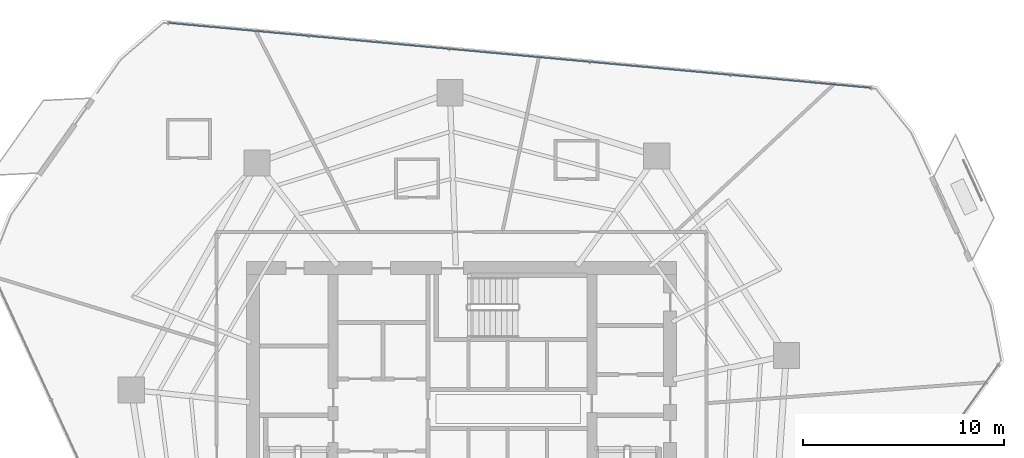
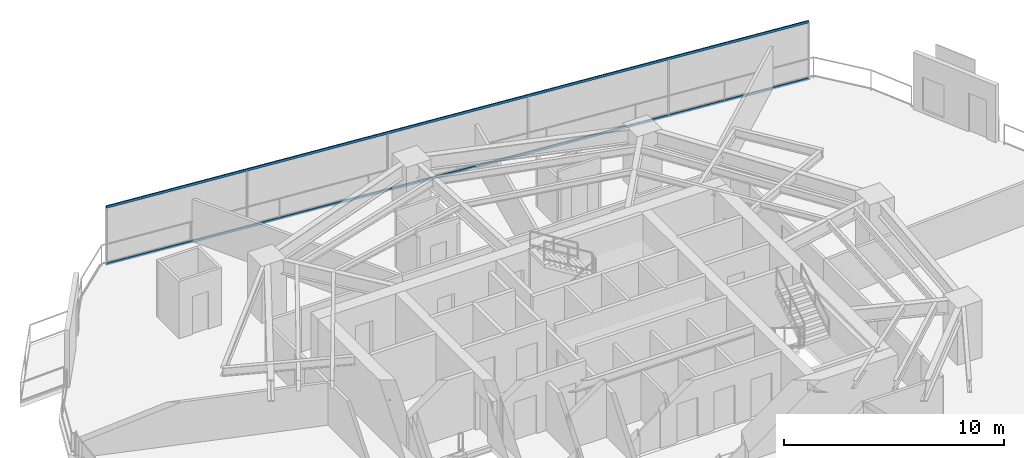
# One storey, part 21 of 30: 2 members, 1 element without a shape of its own.
"""IFC4 building model written with IfcOpenShell, lengths in metres."""

import ifcopenshell
import ifcopenshell.guid

model = None  # the IFC model being written
_history = None  # IfcOwnerHistory: only IFC2X3 demands one
_inside = {}  # id of a spatial element -> (the spatial element, [elements in it])
_under = {}  # id of a project, library or spatial element -> (it, [spatial elements below it])
_declared = {}  # id of a project -> (the project, [libraries it declares])
_typed = {}  # id of a type object -> (the type object, [elements of that type])
_made_of = {}  # id of a material, layer set ... -> (it, [elements and type objects made of it])


def new_model(schema):
    """Start an empty IFC model of exactly this schema.

    Asked for "IFC4X3", IfcOpenShell would pick the latest addendum, in which some entities
    have other attributes; the version numbers below select the first issue.
    IFC2X3 requires an IfcOwnerHistory on every rooted entity: one is made here for all.
    """
    global model, _history
    if schema == "IFC4X3":
        model = ifcopenshell.file(schema_version=(4, 3, 0, 0))
    else:
        model = ifcopenshell.file(schema=schema)
    _inside.clear()
    _under.clear()
    _declared.clear()
    _typed.clear()
    _made_of.clear()
    _history = None
    if model.schema == "IFC2X3":
        org = make("IfcOrganization", Name="unknown")
        user = make(
            "IfcPersonAndOrganization",
            ThePerson=make("IfcPerson", FamilyName="unknown"),
            TheOrganization=org,
        )
        app = make(
            "IfcApplication",
            ApplicationDeveloper=org,
            Version="unknown",
            ApplicationFullName="unknown",
            ApplicationIdentifier="unknown",
        )
        _history = make(
            "IfcOwnerHistory",
            OwningUser=user,
            OwningApplication=app,
            ChangeAction="ADDED",
            CreationDate=0,
        )
    return model


def make(cls, **values):
    """One entity of the class cls with the attributes given. An attribute that is None is left unset."""
    return model.create_entity(
        cls, **{name: value for name, value in values.items() if value is not None}
    )


def rooted(cls, **values):
    """An entity with a GlobalId (a new one), such as an element, a storey or a relation."""
    return make(cls, GlobalId=ifcopenshell.guid.new(), OwnerHistory=_history, **values)


def si_unit(unit_type, name, prefix=None):
    """IfcSIUnit, for example si_unit("LENGTHUNIT", "METRE", prefix="MILLI")."""
    return make("IfcSIUnit", UnitType=unit_type, Prefix=prefix, Name=name)


def assignment(units):
    """IfcUnitAssignment: the units of a project."""
    return None if units is None else make("IfcUnitAssignment", Units=units)


def point(xyz):
    """IfcCartesianPoint."""
    return None if xyz is None else make("IfcCartesianPoint", Coordinates=xyz)


def direction(xyz):
    """IfcDirection."""
    return None if xyz is None else make("IfcDirection", DirectionRatios=xyz)


def frame(location, z_axis=None, x_axis=None):
    """IfcAxis2Placement3D, a coordinate frame: its origin and axes. An axis left out is left unset."""
    return make(
        "IfcAxis2Placement3D",
        Location=point(location),
        Axis=direction(z_axis),
        RefDirection=direction(x_axis),
    )


def frame_2d(location, x_axis=None):
    """IfcAxis2Placement2D, a coordinate frame in the plane: its origin and x axis."""
    return make(
        "IfcAxis2Placement2D", Location=point(location), RefDirection=direction(x_axis)
    )


def origin():
    """The frame at (0, 0, 0) with its axes left unset."""
    return frame((0.0, 0.0, 0.0))


def origin_2d():
    """The frame at (0, 0) in the plane with its x axis left unset."""
    return frame_2d((0.0, 0.0))


def place(relative_to, where):
    """IfcLocalPlacement: puts the frame where relative to a parent placement (None: the world)."""
    return make(
        "IfcLocalPlacement", PlacementRelTo=relative_to, RelativePlacement=where
    )


def context(
    kind, dimensions, precision=None, world=None, true_north=None, identifier=None
):
    """IfcGeometricRepresentationContext, for example the 3D "Model" context."""
    return make(
        "IfcGeometricRepresentationContext",
        ContextIdentifier=identifier,
        ContextType=kind,
        CoordinateSpaceDimension=dimensions,
        Precision=precision,
        WorldCoordinateSystem=world,
        TrueNorth=true_north,
    )


def subcontext(parent, identifier, kind, view, scale=None):
    """IfcGeometricRepresentationSubContext, for example "Body" below "Model"."""
    return make(
        "IfcGeometricRepresentationSubContext",
        ContextIdentifier=identifier,
        ContextType=kind,
        ParentContext=parent,
        TargetScale=scale,
        TargetView=view,
    )


def project(units=None, contexts=None):
    """IfcProject with its units and contexts."""
    return rooted(
        "IfcProject",
        Name="project",
        RepresentationContexts=contexts,
        UnitsInContext=assignment(units),
    )


def spatial(cls, under=None, at=None, **own):
    """A site, building, storey or space (cls), placed at a placement, below another one or the project."""
    s = rooted(cls, ObjectPlacement=at, **own)
    if under is not None:
        _under.setdefault(under.id(), (under, []))[1].append(s)
    return s


def profile(cls, at=None, kind="AREA", **sizes):
    """A parametric profile (cls). Its sizes go by their IFC names, for example OverallWidth=200.0."""
    return make(cls, ProfileType=kind, Position=at, **sizes)


def hollow_rectangle(**sizes):
    """IfcRectangleHollowProfileDef."""
    return profile("IfcRectangleHollowProfileDef", **sizes)


def extrude(swept, where, along, depth):
    """IfcExtrudedAreaSolid: the profile swept, set in the frame where, extruded along a direction by depth."""
    return make(
        "IfcExtrudedAreaSolid",
        SweptArea=swept,
        Position=where,
        ExtrudedDirection=direction(along),
        Depth=depth,
    )


def shape(context_of_items, identifier, shape_type, items):
    """IfcShapeRepresentation: the items that make up one representation, for example the "Body"."""
    return make(
        "IfcShapeRepresentation",
        ContextOfItems=context_of_items,
        RepresentationIdentifier=identifier,
        RepresentationType=shape_type,
        Items=items,
    )


def material(Name=None, Category=None):
    """IfcMaterial."""
    return make("IfcMaterial", Name=Name, Category=Category)


def layer(
    of_material, thickness, ventilated=None, Name=None, Category=None, Priority=None
):
    """IfcMaterialLayer: one layer of a wall or slab, of a material (None: an air gap)."""
    return make(
        "IfcMaterialLayer",
        Material=of_material,
        LayerThickness=thickness,
        IsVentilated=ventilated,
        Name=Name,
        Category=Category,
        Priority=Priority,
    )


def layer_set(layers, Name=None):
    """IfcMaterialLayerSet."""
    return make("IfcMaterialLayerSet", MaterialLayers=layers, LayerSetName=Name)


def material_profile(
    of_material, cross_section, Name=None, Category=None, Priority=None
):
    """IfcMaterialProfile: a cross section and its material."""
    return make(
        "IfcMaterialProfile",
        Name=Name,
        Material=of_material,
        Profile=cross_section,
        Priority=Priority,
        Category=Category,
    )


def profile_set(profiles, Name=None, composite=None):
    """IfcMaterialProfileSet."""
    return make(
        "IfcMaterialProfileSet",
        Name=Name,
        MaterialProfiles=profiles,
        CompositeProfile=composite,
    )


def made_of(thing, what):
    """Note that an element or type object is made of a material, layer set ...; save() writes the relation."""
    if what is not None:
        _made_of.setdefault(what.id(), (what, []))[1].append(thing)
    return thing


def type_object(cls, material=None, **own):
    """A type object (cls), such as IfcWallType, which elements share."""
    return made_of(rooted(cls, **own), material)


def element(
    cls,
    number,
    at=None,
    inside=None,
    cuts=None,
    type_object=None,
    material=None,
    context=None,
    identifier="Body",
    shape_type=None,
    held_by="IfcProductDefinitionShape",
    body=None,
    shapes=None,
    **own,
):
    """One element of the class cls, such as IfcWall. Its Tag is "e" and its number.

    at: its placement. inside: the storey or other place that contains it. cuts: it is an
    opening in that element (IfcRelVoidsElement). A single representation is given by context,
    identifier, shape_type and body (its items); several are given by shapes. held_by: the class
    of the entity that holds the representations. save() writes the other relations.
    """
    e = rooted(cls, Tag="e%d" % number, ObjectPlacement=at, **own)
    if body is not None:
        shapes = [shape(context, identifier, shape_type, body)]
    if shapes is not None:
        e.Representation = make(held_by, Representations=shapes)
    if inside is not None:
        _inside.setdefault(inside.id(), (inside, []))[1].append(e)
    if cuts is not None:
        rooted(
            "IfcRelVoidsElement", RelatingBuildingElement=cuts, RelatedOpeningElement=e
        )
    if type_object is not None:
        _typed.setdefault(type_object.id(), (type_object, []))[1].append(e)
    return made_of(e, material)


def aggregate(whole, parts):
    """IfcRelAggregates: a whole, such as a stair, and the parts it consists of."""
    return rooted("IfcRelAggregates", RelatingObject=whole, RelatedObjects=parts)


def save(model, path):
    """Write the relations noted so far, then the file.

    IfcRelAggregates (storeys below a building ...), IfcRelContainedInSpatialStructure (elements
    in a storey), IfcRelDefinesByType, IfcRelAssociatesMaterial and IfcRelDeclares: one each for
    every whole, place, type object, material and project.
    """
    for whole, parts in _under.values():
        aggregate(whole, parts)
    for where, things in _inside.values():
        rooted(
            "IfcRelContainedInSpatialStructure",
            RelatedElements=things,
            RelatingStructure=where,
        )
    for kind, things in _typed.values():
        rooted("IfcRelDefinesByType", RelatedObjects=things, RelatingType=kind)
    for what, things in _made_of.values():
        rooted("IfcRelAssociatesMaterial", RelatedObjects=things, RelatingMaterial=what)
    for by, libraries in _declared.values():
        rooted("IfcRelDeclares", RelatingContext=by, RelatedDefinitions=libraries)
    model.write(path)


model = new_model("IFC4")

# Units and contexts
model_context = context("Model", 3, precision=1e-05, world=origin(), true_north=direction((0.0, 1.0)))
body_context = subcontext(model_context, "Body", "Model", "MODEL_VIEW")
ifc_project = project(units=[si_unit("LENGTHUNIT", "METRE"), si_unit("AREAUNIT", "SQUARE_METRE"), si_unit("VOLUMEUNIT", "CUBIC_METRE"), si_unit("PLANEANGLEUNIT", "RADIAN"), si_unit("MASSUNIT", "GRAM", prefix="KILO")], contexts=[model_context])

# Site, building, storey
site_placement = place(None, origin())
site = spatial("IfcSite", under=ifc_project, at=site_placement, CompositionType="ELEMENT")
building_placement = place(site_placement, origin())
building = spatial("IfcBuilding", under=site, at=building_placement, Name="Qarnah Convention Tower", CompositionType="ELEMENT")
storey_placement = place(building_placement, frame((0.0, 0.0, 47.699951171875)))
storey = spatial("IfcBuildingStorey", under=building, at=storey_placement, Name="L11", CompositionType="ELEMENT", Elevation=47.699951171875)

# Curtain wall, members
ifc_material_1 = material(Name="Tempered Low-E dark glass", Category="glass")
ifc_layer = layer(ifc_material_1, 0.16796875)
ifc_layer_set = layer_set([ifc_layer], Name="Tempered Low-E dark glass")
curtain_wall_type = type_object("IfcCurtainWallType", Name="CWS-01", PredefinedType="NOTDEFINED", material=ifc_layer_set)
curtain_wall_placement = place(storey_placement, origin())
curtain_wall = element("IfcCurtainWall", 1, at=curtain_wall_placement, inside=storey, type_object=curtain_wall_type, Name="L11 unitised curtain wall CW-L11-F2", PredefinedType="NOTDEFINED")
ifc_material_2 = material(Name="Black anodised aluminium", Category="aluminium")
ifc_material_profile = material_profile(ifc_material_2, hollow_rectangle(XDim=0.06005859375, YDim=0.1298828125, WallThickness=0.00390625, at=origin_2d()), Name="TRN-60X130")
ifc_profile_set = profile_set([ifc_material_profile], Name="Black anodised aluminium")
member_type = type_object("IfcMemberType", Name="TRN-T1", PredefinedType="USERDEFINED", material=ifc_profile_set)
member_1_placement = place(storey_placement, frame((22.589111328125, 46.4169921875, 0.0), z_axis=(0.995755342565, -0.092039653159, 0.0), x_axis=(0.092039653159, 0.995755342565, 0.0)))
member_1 = element("IfcMember", 2, at=member_1_placement, type_object=member_type, Name="CW-L11-F2 transom 1", ObjectType="TRANSOM", PredefinedType="USERDEFINED", context=body_context, shape_type="SweptSolid", body=[
    extrude(hollow_rectangle(XDim=0.06005859375, YDim=0.1298828125, WallThickness=0.00390625, at=origin_2d()), origin(), (0.0, 0.0, 1.0), 35.170166015625),
])
member_2_placement = place(storey_placement, frame((22.589111328125, 46.4169921875, 3.170166015625), z_axis=(0.995755342565, -0.092039653159, 0.0), x_axis=(0.092039653159, 0.995755342565, 0.0)))
member_2 = element("IfcMember", 3, at=member_2_placement, type_object=member_type, Name="CW-L11-F2 transom 2", ObjectType="TRANSOM", PredefinedType="USERDEFINED", context=body_context, shape_type="SweptSolid", body=[
    extrude(hollow_rectangle(XDim=0.06005859375, YDim=0.1298828125, WallThickness=0.00390625, at=origin_2d()), origin(), (0.0, 0.0, 1.0), 35.170166015625),
])
aggregate(curtain_wall, [member_1, member_2])

save(model, "model.ifc")
